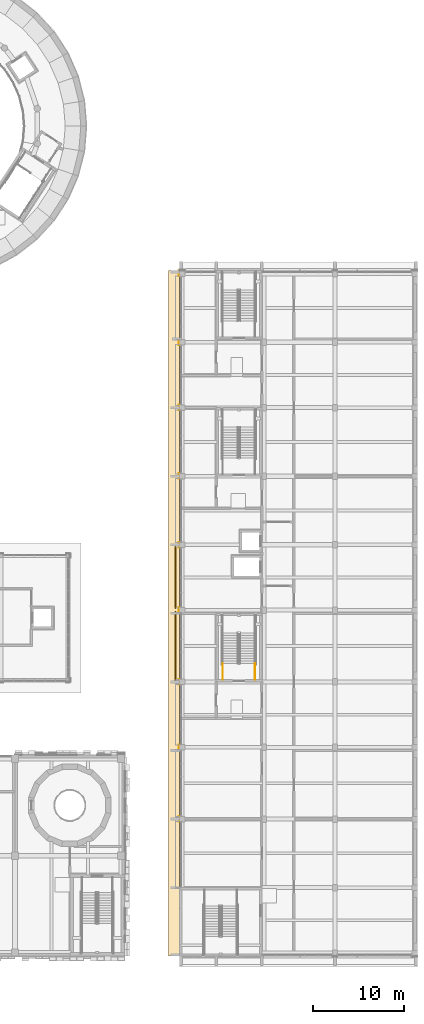
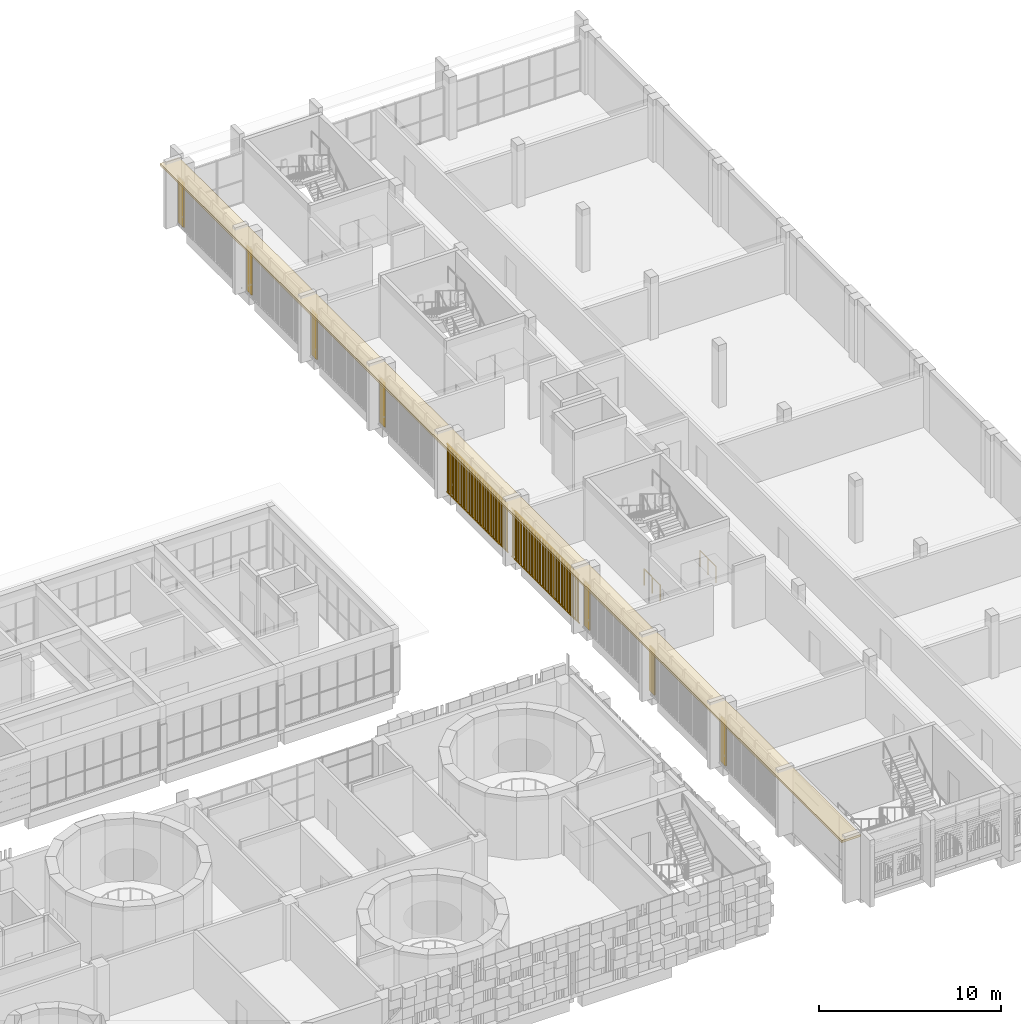
# One storey, part 81 of 92: 2 coverings, 2 railings, 2 shading devices.
"""IFC4 building model written with IfcOpenShell, lengths in metres."""

from ifc_helpers import new_model, si_unit, direction, frame, origin, origin_2d, place, context, subcontext, project, spatial, polyline, rectangle, circle, outline, extrude, material, layer, layer_set, type_object, element, save


model = new_model("IFC4")

# Units and contexts
model_context = context("Model", 3, precision=1e-05, world=origin(), true_north=direction((0.0, 1.0)))
body_context = subcontext(model_context, "Body", "Model", "MODEL_VIEW")
ifc_project = project(units=[si_unit("LENGTHUNIT", "METRE"), si_unit("AREAUNIT", "SQUARE_METRE"), si_unit("VOLUMEUNIT", "CUBIC_METRE"), si_unit("PLANEANGLEUNIT", "RADIAN"), si_unit("MASSUNIT", "GRAM", prefix="KILO")], contexts=[model_context])

# Site, building, storey
site_placement = place(None, origin())
site = spatial("IfcSite", under=ifc_project, at=site_placement, CompositionType="ELEMENT")
building_placement = place(site_placement, origin())
building = spatial("IfcBuilding", under=site, at=building_placement, Name="Sun Court Science Centre", CompositionType="ELEMENT")
storey_placement = place(building_placement, frame((0.0, 0.0, 11.25)))
storey = spatial("IfcBuildingStorey", under=building, at=storey_placement, Name="L02", CompositionType="ELEMENT", Elevation=11.25)

# Railings
ifc_material_1 = material(Name="Steel S275", Category="steel")
railing_type = type_object("IfcRailingType", Name="Guard 1100 steel balustrade", PredefinedType="GUARDRAIL", material=ifc_material_1)
for number, where, name in (
    (1, (86.27294921875, 36.25, 0.0), "L02 SL2 stair guard 7"),
    (2, (82.72705078125, 36.25, 0.0), "L02 SL2 stair guard 8"),
):
    element("IfcRailing", number, at=place(storey_placement, frame(where)), inside=storey, type_object=railing_type, Name=name, PredefinedType="GUARDRAIL", context=body_context, shape_type="SweptSolid", body=[
        extrude(circle(Radius=0.02392578125, at=origin_2d()), frame((0.0, 0.0, 1.076171875), z_axis=(0.0, 1.0, 0.0), x_axis=(-1.0, 0.0, 0.0)), (0.0, 0.0, 1.0), 1.748046875),
        extrude(circle(Radius=0.02099609375, at=origin_2d()), origin(), (0.0, 0.0, 1.0), 1.052001953125),
        extrude(circle(Radius=0.02099609375, at=origin_2d()), frame((0.0, 0.8740234375, 0.0)), (0.0, 0.0, 1.0), 1.052001953125),
        extrude(circle(Radius=0.02099609375, at=origin_2d()), frame((0.0, 1.748046875, 0.0)), (0.0, 0.0, 1.0), 1.052001953125),
    ])

# Shading devices
ifc_material_2 = material(Name="Red sandstone", Category="masonry")
ifc_layer_1 = layer(ifc_material_2, 0.06005859375)
ifc_layer_set_1 = layer_set([ifc_layer_1], Name="Red sandstone")
shading_device_type = type_object("IfcShadingDeviceType", Name="Jali screen, sandstone", PredefinedType="USERDEFINED", material=ifc_layer_set_1)
shading_device_1_placement = place(storey_placement, frame((0.0, 0.0, -11.25)))
element("IfcShadingDevice", 3, at=shading_device_1_placement, inside=storey, type_object=shading_device_type, Name="Jali screen west face L02 04", ObjectType="JALI SCREEN", PredefinedType="USERDEFINED", context=body_context, shape_type="SweptSolid", body=[
    extrude(rectangle(XDim=0.1201171875, YDim=0.06005859375, at=origin_2d()), frame((77.570068359375, 36.34912109375, 11.58984375), z_axis=(0.0, 0.0, 1.0), x_axis=(0.0, 1.0, 0.0)), (0.0, 0.0, 1.0), 3.219970703125),
    extrude(rectangle(XDim=0.1201171875, YDim=0.06005859375, at=origin_2d()), frame((77.570068359375, 36.64697265625, 11.58984375), z_axis=(0.0, 0.0, 1.0), x_axis=(0.0, 1.0, 0.0)), (0.0, 0.0, 1.0), 3.219970703125),
    extrude(rectangle(XDim=0.1201171875, YDim=0.06005859375, at=origin_2d()), frame((77.570068359375, 36.945068359375, 11.58984375), z_axis=(0.0, 0.0, 1.0), x_axis=(0.0, 1.0, 0.0)), (0.0, 0.0, 1.0), 3.219970703125),
    extrude(rectangle(XDim=0.1201171875, YDim=0.06005859375, at=origin_2d()), frame((77.570068359375, 37.242919921875, 11.58984375), z_axis=(0.0, 0.0, 1.0), x_axis=(0.0, 1.0, 0.0)), (0.0, 0.0, 1.0), 3.219970703125),
    extrude(rectangle(XDim=0.1201171875, YDim=0.06005859375, at=origin_2d()), frame((77.570068359375, 37.541015625, 11.58984375), z_axis=(0.0, 0.0, 1.0), x_axis=(0.0, 1.0, 0.0)), (0.0, 0.0, 1.0), 3.219970703125),
    extrude(rectangle(XDim=0.1201171875, YDim=0.06005859375, at=origin_2d()), frame((77.570068359375, 37.839111328125, 11.58984375), z_axis=(0.0, 0.0, 1.0), x_axis=(0.0, 1.0, 0.0)), (0.0, 0.0, 1.0), 3.219970703125),
    extrude(rectangle(XDim=0.1201171875, YDim=0.06005859375, at=origin_2d()), frame((77.570068359375, 38.136962890625, 11.58984375), z_axis=(0.0, 0.0, 1.0), x_axis=(0.0, 1.0, 0.0)), (0.0, 0.0, 1.0), 3.219970703125),
    extrude(rectangle(XDim=0.1201171875, YDim=0.06005859375, at=origin_2d()), frame((77.570068359375, 38.43505859375, 11.58984375), z_axis=(0.0, 0.0, 1.0), x_axis=(0.0, 1.0, 0.0)), (0.0, 0.0, 1.0), 3.219970703125),
    extrude(rectangle(XDim=0.1201171875, YDim=0.06005859375, at=origin_2d()), frame((77.570068359375, 38.73291015625, 11.58984375), z_axis=(0.0, 0.0, 1.0), x_axis=(0.0, 1.0, 0.0)), (0.0, 0.0, 1.0), 3.219970703125),
    extrude(rectangle(XDim=0.1201171875, YDim=0.06005859375, at=origin_2d()), frame((77.570068359375, 39.031005859375, 11.58984375), z_axis=(0.0, 0.0, 1.0), x_axis=(0.0, 1.0, 0.0)), (0.0, 0.0, 1.0), 3.219970703125),
    extrude(rectangle(XDim=0.1201171875, YDim=0.06005859375, at=origin_2d()), frame((77.570068359375, 39.3291015625, 11.58984375), z_axis=(0.0, 0.0, 1.0), x_axis=(0.0, 1.0, 0.0)), (0.0, 0.0, 1.0), 3.219970703125),
    extrude(rectangle(XDim=0.1201171875, YDim=0.06005859375, at=origin_2d()), frame((77.570068359375, 39.626953125, 11.58984375), z_axis=(0.0, 0.0, 1.0), x_axis=(0.0, 1.0, 0.0)), (0.0, 0.0, 1.0), 3.219970703125),
    extrude(rectangle(XDim=0.1201171875, YDim=0.06005859375, at=origin_2d()), frame((77.570068359375, 39.925048828125, 11.58984375), z_axis=(0.0, 0.0, 1.0), x_axis=(0.0, 1.0, 0.0)), (0.0, 0.0, 1.0), 3.219970703125),
    extrude(rectangle(XDim=0.1201171875, YDim=0.06005859375, at=origin_2d()), frame((77.570068359375, 40.222900390625, 11.58984375), z_axis=(0.0, 0.0, 1.0), x_axis=(0.0, 1.0, 0.0)), (0.0, 0.0, 1.0), 3.219970703125),
    extrude(rectangle(XDim=0.1201171875, YDim=0.06005859375, at=origin_2d()), frame((77.570068359375, 40.52099609375, 11.58984375), z_axis=(0.0, 0.0, 1.0), x_axis=(0.0, 1.0, 0.0)), (0.0, 0.0, 1.0), 3.219970703125),
    extrude(rectangle(XDim=0.1201171875, YDim=0.06005859375, at=origin_2d()), frame((77.570068359375, 40.819091796875, 11.58984375), z_axis=(0.0, 0.0, 1.0), x_axis=(0.0, 1.0, 0.0)), (0.0, 0.0, 1.0), 3.219970703125),
    extrude(rectangle(XDim=0.1201171875, YDim=0.06005859375, at=origin_2d()), frame((77.570068359375, 41.116943359375, 11.58984375), z_axis=(0.0, 0.0, 1.0), x_axis=(0.0, 1.0, 0.0)), (0.0, 0.0, 1.0), 3.219970703125),
    extrude(rectangle(XDim=0.1201171875, YDim=0.06005859375, at=origin_2d()), frame((77.570068359375, 41.4150390625, 11.58984375), z_axis=(0.0, 0.0, 1.0), x_axis=(0.0, 1.0, 0.0)), (0.0, 0.0, 1.0), 3.219970703125),
    extrude(rectangle(XDim=0.1201171875, YDim=0.06005859375, at=origin_2d()), frame((77.570068359375, 41.712890625, 11.58984375), z_axis=(0.0, 0.0, 1.0), x_axis=(0.0, 1.0, 0.0)), (0.0, 0.0, 1.0), 3.219970703125),
    extrude(rectangle(XDim=0.1201171875, YDim=0.06005859375, at=origin_2d()), frame((77.570068359375, 42.010986328125, 11.58984375), z_axis=(0.0, 0.0, 1.0), x_axis=(0.0, 1.0, 0.0)), (0.0, 0.0, 1.0), 3.219970703125),
    extrude(rectangle(XDim=0.1201171875, YDim=0.06005859375, at=origin_2d()), frame((77.570068359375, 42.30908203125, 11.58984375), z_axis=(0.0, 0.0, 1.0), x_axis=(0.0, 1.0, 0.0)), (0.0, 0.0, 1.0), 3.219970703125),
    extrude(rectangle(XDim=0.1201171875, YDim=0.06005859375, at=origin_2d()), frame((77.570068359375, 42.60693359375, 11.58984375), z_axis=(0.0, 0.0, 1.0), x_axis=(0.0, 1.0, 0.0)), (0.0, 0.0, 1.0), 3.219970703125),
    extrude(rectangle(XDim=0.1201171875, YDim=0.06005859375, at=origin_2d()), frame((77.570068359375, 42.905029296875, 11.58984375), z_axis=(0.0, 0.0, 1.0), x_axis=(0.0, 1.0, 0.0)), (0.0, 0.0, 1.0), 3.219970703125),
    extrude(rectangle(XDim=0.1201171875, YDim=0.06005859375, at=origin_2d()), frame((77.570068359375, 43.202880859375, 11.58984375), z_axis=(0.0, 0.0, 1.0), x_axis=(0.0, 1.0, 0.0)), (0.0, 0.0, 1.0), 3.219970703125),
    extrude(rectangle(XDim=0.1201171875, YDim=0.06005859375, at=origin_2d()), frame((77.570068359375, 43.5009765625, 11.58984375), z_axis=(0.0, 0.0, 1.0), x_axis=(0.0, 1.0, 0.0)), (0.0, 0.0, 1.0), 3.219970703125),
    extrude(rectangle(XDim=7.449951171875, YDim=0.06005859375, at=origin_2d()), frame((77.570068359375, 39.925048828125, 11.550048828125), z_axis=(0.0, 0.0, 1.0), x_axis=(0.0, 1.0, 0.0)), (0.0, 0.0, 1.0), 0.06005859375),
    extrude(rectangle(XDim=7.449951171875, YDim=0.06005859375, at=origin_2d()), frame((77.570068359375, 39.925048828125, 14.7900390625), z_axis=(0.0, 0.0, 1.0), x_axis=(0.0, 1.0, 0.0)), (0.0, 0.0, 1.0), 0.06005859375),
])
shading_device_2_placement = place(storey_placement, frame((0.0, 0.0, -11.25)))
element("IfcShadingDevice", 4, at=shading_device_2_placement, inside=storey, type_object=shading_device_type, Name="Jali screen west face L02 05", ObjectType="JALI SCREEN", PredefinedType="USERDEFINED", context=body_context, shape_type="SweptSolid", body=[
    extrude(rectangle(XDim=0.1201171875, YDim=0.06005859375, at=origin_2d()), frame((77.570068359375, 44.19677734375, 11.58984375), z_axis=(0.0, 0.0, 1.0), x_axis=(0.0, 1.0, 0.0)), (0.0, 0.0, 1.0), 3.219970703125),
    extrude(rectangle(XDim=0.1201171875, YDim=0.06005859375, at=origin_2d()), frame((77.570068359375, 44.490234375, 11.58984375), z_axis=(0.0, 0.0, 1.0), x_axis=(0.0, 1.0, 0.0)), (0.0, 0.0, 1.0), 3.219970703125),
    extrude(rectangle(XDim=0.1201171875, YDim=0.06005859375, at=origin_2d()), frame((77.570068359375, 44.78369140625, 11.58984375), z_axis=(0.0, 0.0, 1.0), x_axis=(0.0, 1.0, 0.0)), (0.0, 0.0, 1.0), 3.219970703125),
    extrude(rectangle(XDim=0.1201171875, YDim=0.06005859375, at=origin_2d()), frame((77.570068359375, 45.0771484375, 11.58984375), z_axis=(0.0, 0.0, 1.0), x_axis=(0.0, 1.0, 0.0)), (0.0, 0.0, 1.0), 3.219970703125),
    extrude(rectangle(XDim=0.1201171875, YDim=0.06005859375, at=origin_2d()), frame((77.570068359375, 45.37060546875, 11.58984375), z_axis=(0.0, 0.0, 1.0), x_axis=(0.0, 1.0, 0.0)), (0.0, 0.0, 1.0), 3.219970703125),
    extrude(rectangle(XDim=0.1201171875, YDim=0.06005859375, at=origin_2d()), frame((77.570068359375, 45.6640625, 11.58984375), z_axis=(0.0, 0.0, 1.0), x_axis=(0.0, 1.0, 0.0)), (0.0, 0.0, 1.0), 3.219970703125),
    extrude(rectangle(XDim=0.1201171875, YDim=0.06005859375, at=origin_2d()), frame((77.570068359375, 45.95751953125, 11.58984375), z_axis=(0.0, 0.0, 1.0), x_axis=(0.0, 1.0, 0.0)), (0.0, 0.0, 1.0), 3.219970703125),
    extrude(rectangle(XDim=0.1201171875, YDim=0.06005859375, at=origin_2d()), frame((77.570068359375, 46.2509765625, 11.58984375), z_axis=(0.0, 0.0, 1.0), x_axis=(0.0, 1.0, 0.0)), (0.0, 0.0, 1.0), 3.219970703125),
    extrude(rectangle(XDim=0.1201171875, YDim=0.06005859375, at=origin_2d()), frame((77.570068359375, 46.544677734375, 11.58984375), z_axis=(0.0, 0.0, 1.0), x_axis=(0.0, 1.0, 0.0)), (0.0, 0.0, 1.0), 3.219970703125),
    extrude(rectangle(XDim=0.1201171875, YDim=0.06005859375, at=origin_2d()), frame((77.570068359375, 46.838134765625, 11.58984375), z_axis=(0.0, 0.0, 1.0), x_axis=(0.0, 1.0, 0.0)), (0.0, 0.0, 1.0), 3.219970703125),
    extrude(rectangle(XDim=0.1201171875, YDim=0.06005859375, at=origin_2d()), frame((77.570068359375, 47.131591796875, 11.58984375), z_axis=(0.0, 0.0, 1.0), x_axis=(0.0, 1.0, 0.0)), (0.0, 0.0, 1.0), 3.219970703125),
    extrude(rectangle(XDim=0.1201171875, YDim=0.06005859375, at=origin_2d()), frame((77.570068359375, 47.425048828125, 11.58984375), z_axis=(0.0, 0.0, 1.0), x_axis=(0.0, 1.0, 0.0)), (0.0, 0.0, 1.0), 3.219970703125),
    extrude(rectangle(XDim=0.1201171875, YDim=0.06005859375, at=origin_2d()), frame((77.570068359375, 47.718505859375, 11.58984375), z_axis=(0.0, 0.0, 1.0), x_axis=(0.0, 1.0, 0.0)), (0.0, 0.0, 1.0), 3.219970703125),
    extrude(rectangle(XDim=0.1201171875, YDim=0.06005859375, at=origin_2d()), frame((77.570068359375, 48.011962890625, 11.58984375), z_axis=(0.0, 0.0, 1.0), x_axis=(0.0, 1.0, 0.0)), (0.0, 0.0, 1.0), 3.219970703125),
    extrude(rectangle(XDim=0.1201171875, YDim=0.06005859375, at=origin_2d()), frame((77.570068359375, 48.305419921875, 11.58984375), z_axis=(0.0, 0.0, 1.0), x_axis=(0.0, 1.0, 0.0)), (0.0, 0.0, 1.0), 3.219970703125),
    extrude(rectangle(XDim=0.1201171875, YDim=0.06005859375, at=origin_2d()), frame((77.570068359375, 48.598876953125, 11.58984375), z_axis=(0.0, 0.0, 1.0), x_axis=(0.0, 1.0, 0.0)), (0.0, 0.0, 1.0), 3.219970703125),
    extrude(rectangle(XDim=0.1201171875, YDim=0.06005859375, at=origin_2d()), frame((77.570068359375, 48.892333984375, 11.58984375), z_axis=(0.0, 0.0, 1.0), x_axis=(0.0, 1.0, 0.0)), (0.0, 0.0, 1.0), 3.219970703125),
    extrude(rectangle(XDim=0.1201171875, YDim=0.06005859375, at=origin_2d()), frame((77.570068359375, 49.185791015625, 11.58984375), z_axis=(0.0, 0.0, 1.0), x_axis=(0.0, 1.0, 0.0)), (0.0, 0.0, 1.0), 3.219970703125),
    extrude(rectangle(XDim=0.1201171875, YDim=0.06005859375, at=origin_2d()), frame((77.570068359375, 49.479248046875, 11.58984375), z_axis=(0.0, 0.0, 1.0), x_axis=(0.0, 1.0, 0.0)), (0.0, 0.0, 1.0), 3.219970703125),
    extrude(rectangle(XDim=0.1201171875, YDim=0.06005859375, at=origin_2d()), frame((77.570068359375, 49.772705078125, 11.58984375), z_axis=(0.0, 0.0, 1.0), x_axis=(0.0, 1.0, 0.0)), (0.0, 0.0, 1.0), 3.219970703125),
    extrude(rectangle(XDim=0.1201171875, YDim=0.06005859375, at=origin_2d()), frame((77.570068359375, 50.06640625, 11.58984375), z_axis=(0.0, 0.0, 1.0), x_axis=(0.0, 1.0, 0.0)), (0.0, 0.0, 1.0), 3.219970703125),
    extrude(rectangle(XDim=0.1201171875, YDim=0.06005859375, at=origin_2d()), frame((77.570068359375, 50.35986328125, 11.58984375), z_axis=(0.0, 0.0, 1.0), x_axis=(0.0, 1.0, 0.0)), (0.0, 0.0, 1.0), 3.219970703125),
    extrude(rectangle(XDim=0.1201171875, YDim=0.06005859375, at=origin_2d()), frame((77.570068359375, 50.6533203125, 11.58984375), z_axis=(0.0, 0.0, 1.0), x_axis=(0.0, 1.0, 0.0)), (0.0, 0.0, 1.0), 3.219970703125),
    extrude(rectangle(XDim=6.75, YDim=0.06005859375, at=origin_2d()), frame((77.570068359375, 47.425048828125, 11.550048828125), z_axis=(0.0, 0.0, 1.0), x_axis=(0.0, 1.0, 0.0)), (0.0, 0.0, 1.0), 0.06005859375),
    extrude(rectangle(XDim=6.75, YDim=0.06005859375, at=origin_2d()), frame((77.570068359375, 47.425048828125, 14.7900390625), z_axis=(0.0, 0.0, 1.0), x_axis=(0.0, 1.0, 0.0)), (0.0, 0.0, 1.0), 0.06005859375),
])

# Coverings
ifc_material_3 = material(Name="Red sandstone", Category="masonry")
ifc_layer_2 = layer(ifc_material_3, 0.080078125)
ifc_layer_set_2 = layer_set([ifc_layer_2], Name="Red sandstone")
covering_type_1 = type_object("IfcCoveringType", Name="Red sandstone pier cladding", PredefinedType="CLADDING", material=ifc_layer_set_2)
covering_1_placement = place(storey_placement, frame((0.0, 0.0, -11.25)))
element("IfcCovering", 5, at=covering_1_placement, inside=storey, type_object=covering_type_1, Name="Red sandstone pier cladding west face L02", PredefinedType="CLADDING", context=body_context, shape_type="SweptSolid", body=[
    extrude(rectangle(XDim=0.60009765625, YDim=0.080078125, at=origin_2d()), frame((77.9599609375, 21.0, 11.25), z_axis=(0.0, 0.0, 1.0), x_axis=(0.0, 1.0, 0.0)), (0.0, 0.0, 1.0), 3.0),
    extrude(rectangle(XDim=0.60009765625, YDim=0.080078125, at=origin_2d()), frame((77.9599609375, 28.85009765625, 11.25), z_axis=(0.0, 0.0, 1.0), x_axis=(0.0, 1.0, 0.0)), (0.0, 0.0, 1.0), 3.0),
    extrude(rectangle(XDim=0.60009765625, YDim=0.080078125, at=origin_2d()), frame((77.9599609375, 36.0, 11.25), z_axis=(0.0, 0.0, 1.0), x_axis=(0.0, 1.0, 0.0)), (0.0, 0.0, 1.0), 3.0),
    extrude(rectangle(XDim=0.60009765625, YDim=0.080078125, at=origin_2d()), frame((77.9599609375, 43.85009765625, 11.25), z_axis=(0.0, 0.0, 1.0), x_axis=(0.0, 1.0, 0.0)), (0.0, 0.0, 1.0), 3.0),
    extrude(rectangle(XDim=0.60009765625, YDim=0.080078125, at=origin_2d()), frame((77.9599609375, 51.0, 11.25), z_axis=(0.0, 0.0, 1.0), x_axis=(0.0, 1.0, 0.0)), (0.0, 0.0, 1.0), 3.0),
    extrude(rectangle(XDim=0.60009765625, YDim=0.080078125, at=origin_2d()), frame((77.9599609375, 58.5, 11.25), z_axis=(0.0, 0.0, 1.0), x_axis=(0.0, 1.0, 0.0)), (0.0, 0.0, 1.0), 3.0),
    extrude(rectangle(XDim=0.60009765625, YDim=0.080078125, at=origin_2d()), frame((77.9599609375, 66.0, 11.25), z_axis=(0.0, 0.0, 1.0), x_axis=(0.0, 1.0, 0.0)), (0.0, 0.0, 1.0), 3.0),
    extrude(rectangle(XDim=0.60009765625, YDim=0.080078125, at=origin_2d()), frame((77.9599609375, 73.14990234375, 11.25), z_axis=(0.0, 0.0, 1.0), x_axis=(0.0, 1.0, 0.0)), (0.0, 0.0, 1.0), 3.0),
    extrude(rectangle(XDim=0.60009765625, YDim=0.080078125, at=origin_2d()), frame((77.9599609375, 80.64990234375, 11.25), z_axis=(0.0, 0.0, 1.0), x_axis=(0.0, 1.0, 0.0)), (0.0, 0.0, 1.0), 3.0),
])
ifc_material_4 = material(Name="Red sandstone", Category="masonry")
ifc_layer_3 = layer(ifc_material_4, 0.14990234375)
ifc_layer_set_3 = layer_set([ifc_layer_3], Name="Red sandstone")
covering_type_2 = type_object("IfcCoveringType", Name="Sandstone chhajja eave 1200", PredefinedType="CLADDING", material=ifc_layer_set_3)
covering_2_placement = place(storey_placement, frame((0.0, 0.0, 4.169921875)))
element("IfcCovering", 6, at=covering_2_placement, inside=storey, type_object=covering_type_2, Name="Chhajja eave west court face L02", PredefinedType="CLADDING", context=body_context, shape_type="SweptSolid", body=[
    extrude(outline(polyline([(76.800048828125, 6.0), (78.0, 6.0), (78.0, 81.0), (76.800048828125, 81.0), (76.800048828125, 6.0)])), origin(), (0.0, 0.0, 1.0), 0.150146484375),
])

save(model, "model.ifc")
